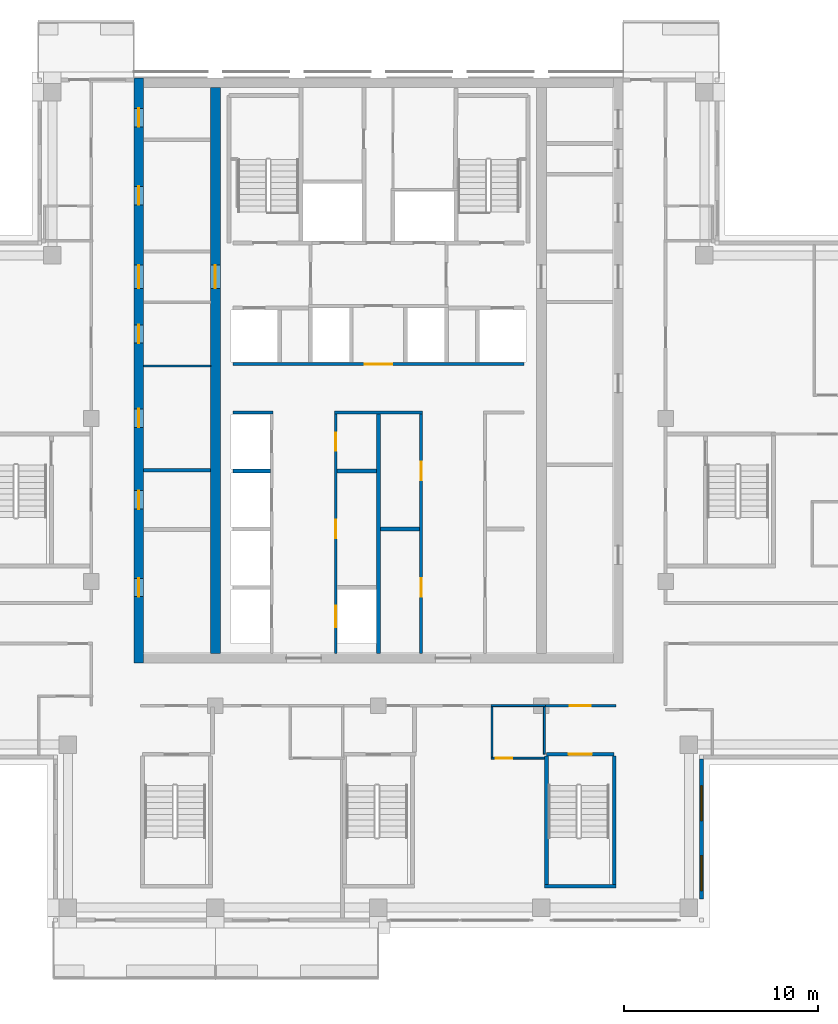
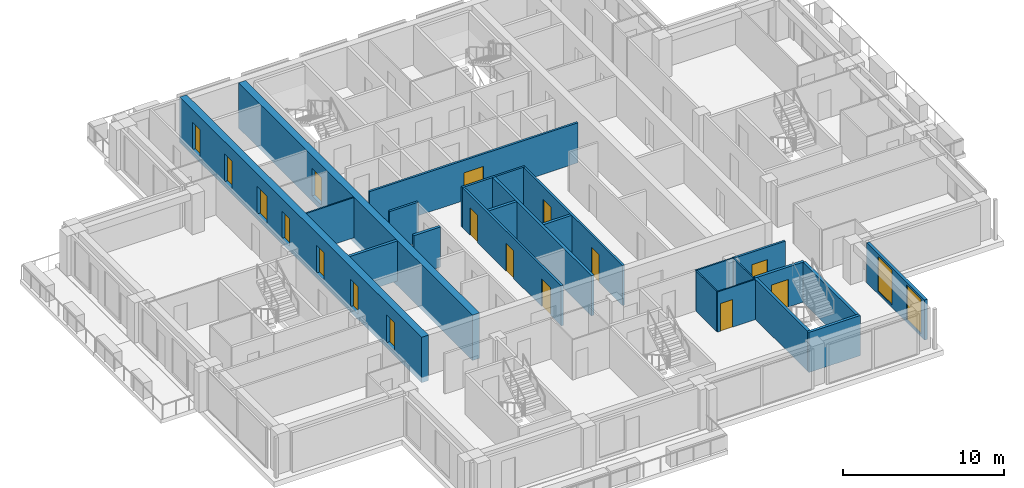
# One storey, part 8 of 16: 23 walls, 17 doors, 2 windows, 19 openings.
"""IFC4 building model written with IfcOpenShell, lengths in metres."""

from ifc_helpers import new_model, si_unit, direction, frame, frame_2d, origin, place, context, subcontext, project, spatial, rectangle, extrude, material, layer, layer_set, type_object, element, fill, save


model = new_model("IFC4")

# Units and contexts
model_context = context("Model", 3, precision=1e-05, world=origin(), true_north=direction((0.0, 1.0)))
body_context = subcontext(model_context, "Body", "Model", "MODEL_VIEW")
ifc_project = project(units=[si_unit("LENGTHUNIT", "METRE"), si_unit("AREAUNIT", "SQUARE_METRE"), si_unit("VOLUMEUNIT", "CUBIC_METRE"), si_unit("PLANEANGLEUNIT", "RADIAN"), si_unit("MASSUNIT", "GRAM", prefix="KILO")], contexts=[model_context])

# Site, building, storey
site_placement = place(None, origin())
site = spatial("IfcSite", under=ifc_project, at=site_placement, CompositionType="ELEMENT")
building_placement = place(site_placement, origin())
building = spatial("IfcBuilding", under=site, at=building_placement, Name="Vermilion Ogive Tower", CompositionType="ELEMENT")
storey_placement = place(building_placement, frame((0.0, 0.0, 251.050048828125)))
storey = spatial("IfcBuildingStorey", under=building, at=storey_placement, Name="L66", CompositionType="ELEMENT", Elevation=251.050048828125)

# Wall, openings, doors
ifc_material_1 = material(Name="Concrete B60", Category="concrete")
ifc_layer_1 = layer(ifc_material_1, 0.5)
ifc_layer_set_1 = layer_set([ifc_layer_1], Name="Core wall 500 B60")
wall_type_1 = type_object("IfcWallType", Name="Core wall 500 B60", PredefinedType="SHEAR", material=ifc_layer_set_1)
wall_1_placement = place(storey_placement, frame((-12.35009765625, -8.39990234375, -0.400146484375), z_axis=(0.0, 0.0, 1.0), x_axis=(0.0, 1.0, 0.0)))
wall_1 = element("IfcWall", 1, at=wall_1_placement, inside=storey, type_object=wall_type_1, Name="L66-CORE-W", PredefinedType="SHEAR", context=body_context, shape_type="SweptSolid", body=[
    extrude(rectangle(XDim=30.14990234375, YDim=0.5, at=frame_2d((15.074951171875, 0.0))), origin(), (0.0, 0.0, 1.0), 3.4501953125),
])
opening_1_placement = place(wall_1_placement, frame((3.415771484375, 0.0, 0.39990234375)))
opening_1 = element("IfcOpeningElement", 2, at=opening_1_placement, cuts=wall_1, Name="Opening DAD116", PredefinedType="OPENING", context=body_context, shape_type="SweptSolid", body=[
    extrude(rectangle(XDim=0.949951171875, YDim=2.10009765625, at=frame_2d((0.47509765625, 1.050048828125))), frame((0.0, 0.260009765625, 0.0), z_axis=(0.0, -1.0, 0.0), x_axis=(1.0, 0.0, 0.0)), (0.0, 0.0, 1.0), 0.52001953125),
])
opening_2_placement = place(wall_1_placement, frame((7.93212890625, 0.0, 0.39990234375)))
opening_2 = element("IfcOpeningElement", 3, at=opening_2_placement, cuts=wall_1, Name="Opening DAD117", PredefinedType="OPENING", context=body_context, shape_type="SweptSolid", body=[
    extrude(rectangle(XDim=0.949951171875, YDim=2.10009765625, at=frame_2d((0.47509765625, 1.050048828125))), frame((0.0, 0.260009765625, 0.0), z_axis=(0.0, -1.0, 0.0), x_axis=(1.0, 0.0, 0.0)), (0.0, 0.0, 1.0), 0.52001953125),
])
opening_3_placement = place(wall_1_placement, frame((12.1435546875, 0.0, 0.39990234375)))
opening_3 = element("IfcOpeningElement", 4, at=opening_3_placement, cuts=wall_1, Name="Opening DAD118", PredefinedType="OPENING", context=body_context, shape_type="SweptSolid", body=[
    extrude(rectangle(XDim=0.949951171875, YDim=2.10009765625, at=frame_2d((0.47509765625, 1.050048828125))), frame((0.0, 0.260009765625, 0.0), z_axis=(0.0, -1.0, 0.0), x_axis=(1.0, 0.0, 0.0)), (0.0, 0.0, 1.0), 0.52001953125),
])
opening_4_placement = place(wall_1_placement, frame((16.47705078125, 0.0, 0.39990234375)))
opening_4 = element("IfcOpeningElement", 5, at=opening_4_placement, cuts=wall_1, Name="Opening DAD119", PredefinedType="OPENING", context=body_context, shape_type="SweptSolid", body=[
    extrude(rectangle(XDim=0.949951171875, YDim=2.10009765625, at=frame_2d((0.47509765625, 1.050048828125))), frame((0.0, 0.260009765625, 0.0), z_axis=(0.0, -1.0, 0.0), x_axis=(1.0, 0.0, 0.0)), (0.0, 0.0, 1.0), 0.52001953125),
])
opening_5_placement = place(wall_1_placement, frame((23.60498046875, 0.0, 0.39990234375)))
opening_5 = element("IfcOpeningElement", 6, at=opening_5_placement, cuts=wall_1, Name="Opening DAD120", PredefinedType="OPENING", context=body_context, shape_type="SweptSolid", body=[
    extrude(rectangle(XDim=0.949951171875, YDim=2.10009765625, at=frame_2d((0.47509765625, 1.050048828125))), frame((0.0, 0.260009765625, 0.0), z_axis=(0.0, -1.0, 0.0), x_axis=(1.0, 0.0, 0.0)), (0.0, 0.0, 1.0), 0.52001953125),
])
opening_6_placement = place(wall_1_placement, frame((27.630126953125, 0.0, 0.39990234375)))
opening_6 = element("IfcOpeningElement", 7, at=opening_6_placement, cuts=wall_1, Name="Opening DAD121", PredefinedType="OPENING", context=body_context, shape_type="SweptSolid", body=[
    extrude(rectangle(XDim=0.949951171875, YDim=2.10009765625, at=frame_2d((0.47509765625, 1.050048828125))), frame((0.0, 0.260009765625, 0.0), z_axis=(0.0, -1.0, 0.0), x_axis=(1.0, 0.0, 0.0)), (0.0, 0.0, 1.0), 0.52001953125),
])
opening_7_placement = place(wall_1_placement, frame((19.300048828125, 0.0, 0.39990234375)))
opening_7 = element("IfcOpeningElement", 8, at=opening_7_placement, cuts=wall_1, Name="Opening DAM027", PredefinedType="OPENING", context=body_context, shape_type="SweptSolid", body=[
    extrude(rectangle(XDim=1.199951171875, YDim=2.10009765625, at=frame_2d((0.60009765625, 1.050048828125))), frame((0.0, 0.260009765625, 0.0), z_axis=(0.0, -1.0, 0.0), x_axis=(1.0, 0.0, 0.0)), (0.0, 0.0, 1.0), 0.52001953125),
])
ifc_material_2 = material(Name="Timber door leaf", Category="wood")
door_type_1 = type_object("IfcDoorType", Name="Link door 1200 x 2100 FD60S", OperationType="SINGLE_SWING_LEFT", PredefinedType="DOOR", material=ifc_material_2)
door_1_placement = place(opening_7_placement, origin())
door_1 = element("IfcDoor", 9, at=door_1_placement, inside=storey, type_object=door_type_1, Name="L66-CKW-XL", OperationType="SINGLE_SWING_LEFT", OverallHeight=2.10009765625, OverallWidth=1.199951171875, PredefinedType="DOOR", context=body_context, shape_type="SweptSolid", body=[
    extrude(rectangle(XDim=1.199951171875, YDim=2.10009765625, at=frame_2d((0.60009765625, 1.050048828125))), frame((0.0, 0.02490234375, 0.0), z_axis=(0.0, -1.0, 0.0), x_axis=(1.0, 0.0, 0.0)), (0.0, 0.0, 1.0), 0.050048828125),
])
fill(opening_7, door_1)
ifc_material_3 = material(Name="Timber door leaf", Category="wood")
door_type_2 = type_object("IfcDoorType", Name="Service door 950 x 2100 FD60", OperationType="SINGLE_SWING_LEFT", PredefinedType="DOOR", material=ifc_material_3)
door_2_placement = place(opening_1_placement, origin())
door_2 = element("IfcDoor", 10, at=door_2_placement, inside=storey, type_object=door_type_2, Name="L66-CKW-XR0", OperationType="SINGLE_SWING_LEFT", OverallHeight=2.10009765625, OverallWidth=0.949951171875, PredefinedType="DOOR", context=body_context, shape_type="SweptSolid", body=[
    extrude(rectangle(XDim=0.949951171875, YDim=2.10009765625, at=frame_2d((0.47509765625, 1.050048828125))), frame((0.0, 0.02490234375, 0.0), z_axis=(0.0, -1.0, 0.0), x_axis=(1.0, 0.0, 0.0)), (0.0, 0.0, 1.0), 0.050048828125),
])
fill(opening_1, door_2)
door_3_placement = place(opening_2_placement, origin())
door_3 = element("IfcDoor", 11, at=door_3_placement, inside=storey, type_object=door_type_2, Name="L66-CKW-XR1", OperationType="SINGLE_SWING_LEFT", OverallHeight=2.10009765625, OverallWidth=0.949951171875, PredefinedType="DOOR", context=body_context, shape_type="SweptSolid", body=[
    extrude(rectangle(XDim=0.949951171875, YDim=2.10009765625, at=frame_2d((0.47509765625, 1.050048828125))), frame((0.0, 0.02490234375, 0.0), z_axis=(0.0, -1.0, 0.0), x_axis=(1.0, 0.0, 0.0)), (0.0, 0.0, 1.0), 0.050048828125),
])
fill(opening_2, door_3)
door_4_placement = place(opening_3_placement, origin())
door_4 = element("IfcDoor", 12, at=door_4_placement, inside=storey, type_object=door_type_2, Name="L66-CKW-XR2", OperationType="SINGLE_SWING_LEFT", OverallHeight=2.10009765625, OverallWidth=0.949951171875, PredefinedType="DOOR", context=body_context, shape_type="SweptSolid", body=[
    extrude(rectangle(XDim=0.949951171875, YDim=2.10009765625, at=frame_2d((0.47509765625, 1.050048828125))), frame((0.0, 0.02490234375, 0.0), z_axis=(0.0, -1.0, 0.0), x_axis=(1.0, 0.0, 0.0)), (0.0, 0.0, 1.0), 0.050048828125),
])
fill(opening_3, door_4)
door_5_placement = place(opening_4_placement, origin())
door_5 = element("IfcDoor", 13, at=door_5_placement, inside=storey, type_object=door_type_2, Name="L66-CKW-XR3", OperationType="SINGLE_SWING_LEFT", OverallHeight=2.10009765625, OverallWidth=0.949951171875, PredefinedType="DOOR", context=body_context, shape_type="SweptSolid", body=[
    extrude(rectangle(XDim=0.949951171875, YDim=2.10009765625, at=frame_2d((0.47509765625, 1.050048828125))), frame((0.0, 0.02490234375, 0.0), z_axis=(0.0, -1.0, 0.0), x_axis=(1.0, 0.0, 0.0)), (0.0, 0.0, 1.0), 0.050048828125),
])
fill(opening_4, door_5)
door_6_placement = place(opening_5_placement, origin())
door_6 = element("IfcDoor", 14, at=door_6_placement, inside=storey, type_object=door_type_2, Name="L66-CKW-XR4", OperationType="SINGLE_SWING_LEFT", OverallHeight=2.10009765625, OverallWidth=0.949951171875, PredefinedType="DOOR", context=body_context, shape_type="SweptSolid", body=[
    extrude(rectangle(XDim=0.949951171875, YDim=2.10009765625, at=frame_2d((0.47509765625, 1.050048828125))), frame((0.0, 0.02490234375, 0.0), z_axis=(0.0, -1.0, 0.0), x_axis=(1.0, 0.0, 0.0)), (0.0, 0.0, 1.0), 0.050048828125),
])
fill(opening_5, door_6)
door_7_placement = place(opening_6_placement, origin())
door_7 = element("IfcDoor", 15, at=door_7_placement, inside=storey, type_object=door_type_2, Name="L66-CKW-XR5", OperationType="SINGLE_SWING_LEFT", OverallHeight=2.10009765625, OverallWidth=0.949951171875, PredefinedType="DOOR", context=body_context, shape_type="SweptSolid", body=[
    extrude(rectangle(XDim=0.949951171875, YDim=2.10009765625, at=frame_2d((0.47509765625, 1.050048828125))), frame((0.0, 0.02490234375, 0.0), z_axis=(0.0, -1.0, 0.0), x_axis=(1.0, 0.0, 0.0)), (0.0, 0.0, 1.0), 0.050048828125),
])
fill(opening_6, door_7)

# Wall, opening, door
wall_2_placement = place(storey_placement, frame((-8.39990234375, -7.89990234375, -0.400146484375), z_axis=(0.0, 0.0, 1.0), x_axis=(0.0, 1.0, 0.0)))
wall_2 = element("IfcWall", 16, at=wall_2_placement, inside=storey, type_object=wall_type_1, Name="L66-CORE-WEB1", PredefinedType="SHEAR", context=body_context, shape_type="SweptSolid", body=[
    extrude(rectangle(XDim=29.14990234375, YDim=0.5, at=frame_2d((14.574951171875, 0.0))), origin(), (0.0, 0.0, 1.0), 3.4501953125),
])
opening_8_placement = place(wall_2_placement, frame((18.800048828125, 0.0, 0.39990234375)))
opening_8 = element("IfcOpeningElement", 17, at=opening_8_placement, cuts=wall_2, Name="Opening DAP022", PredefinedType="OPENING", context=body_context, shape_type="SweptSolid", body=[
    extrude(rectangle(XDim=1.199951171875, YDim=2.10009765625, at=frame_2d((0.60009765625, 1.050048828125))), frame((0.0, 0.260009765625, 0.0), z_axis=(0.0, -1.0, 0.0), x_axis=(1.0, 0.0, 0.0)), (0.0, 0.0, 1.0), 0.52001953125),
])
door_8_placement = place(opening_8_placement, origin())
door_8 = element("IfcDoor", 18, at=door_8_placement, inside=storey, type_object=door_type_1, Name="L66-CKW-XW", OperationType="SINGLE_SWING_LEFT", OverallHeight=2.10009765625, OverallWidth=1.199951171875, PredefinedType="DOOR", context=body_context, shape_type="SweptSolid", body=[
    extrude(rectangle(XDim=1.199951171875, YDim=2.10009765625, at=frame_2d((0.60009765625, 1.050048828125))), frame((0.0, 0.02490234375, 0.0), z_axis=(0.0, -1.0, 0.0), x_axis=(1.0, 0.0, 0.0)), (0.0, 0.0, 1.0), 0.050048828125),
])
fill(opening_8, door_8)

ifc_material_4 = material(Name="Gypsum board partition on steel studs", Category="steel")
ifc_layer_2 = layer(ifc_material_4, 0.10009765625)
ifc_layer_set_2 = layer_set([ifc_layer_2], Name="Partition 100 bath")
wall_type_2 = type_object("IfcWallType", Name="Partition 100 bath", PredefinedType="PARTITIONING", material=ifc_layer_set_2)
wall_3_placement = place(storey_placement, frame((5.802001953125, -13.300048828125, 0.0), z_axis=(0.0, 0.0, 1.0), x_axis=(1.0, 0.0, 0.0)))
wall_3 = element("IfcWall", 19, at=wall_3_placement, inside=storey, type_object=wall_type_2, Name="L66-W-W003", PredefinedType="PARTITIONING", context=body_context, shape_type="SweptSolid", body=[
    extrude(rectangle(XDim=2.748046875, YDim=0.10009765625, at=frame_2d((1.3740234375, 0.0))), origin(), (0.0, 0.0, 1.0), 3.050048828125),
])
opening_9_placement = place(wall_3_placement, frame((0.248046875, 0.0, 0.0)))
opening_9 = element("IfcOpeningElement", 20, at=opening_9_placement, cuts=wall_3, Name="Opening D5G4011", PredefinedType="OPENING", context=body_context, shape_type="SweptSolid", body=[
    extrude(rectangle(XDim=0.85009765625, YDim=2.10009765625, at=frame_2d((0.425048828125, 1.050048828125))), frame((0.0, 0.06005859375, 0.0), z_axis=(0.0, -1.0, 0.0), x_axis=(1.0, 0.0, 0.0)), (0.0, 0.0, 1.0), 0.1201171875),
])
ifc_material_5 = material(Name="Timber door leaf", Category="wood")
door_type_3 = type_object("IfcDoorType", Name="Bath door 850 x 2100 FD30", OperationType="SINGLE_SWING_LEFT", PredefinedType="DOOR", material=ifc_material_5)
door_9_placement = place(opening_9_placement, origin())
door_9 = element("IfcDoor", 21, at=door_9_placement, inside=storey, type_object=door_type_3, Name="L66-D-D011", OperationType="SINGLE_SWING_LEFT", OverallHeight=2.10009765625, OverallWidth=0.85009765625, PredefinedType="DOOR", context=body_context, shape_type="SweptSolid", body=[
    extrude(rectangle(XDim=0.85009765625, YDim=2.10009765625, at=frame_2d((0.425048828125, 1.050048828125))), frame((0.0, 0.02490234375, 0.0), z_axis=(0.0, -1.0, 0.0), x_axis=(1.0, 0.0, 0.0)), (0.0, 0.0, 1.0), 0.050048828125),
])
fill(opening_9, door_9)

# Walls
wall_4_placement = place(storey_placement, frame((5.800048828125, -10.60009765625, 0.0), z_axis=(0.0, 0.0, 1.0), x_axis=(1.0, 0.0, 0.0)))
element("IfcWall", 22, at=wall_4_placement, inside=storey, type_object=wall_type_2, Name="L66-W-W011", PredefinedType="PARTITIONING", context=body_context, shape_type="SweptSolid", body=[
    extrude(rectangle(XDim=2.800048828125, YDim=0.10009765625, at=frame_2d((1.39990234375, 0.0))), origin(), (0.0, 0.0, 1.0), 3.050048828125),
])
wall_5_placement = place(storey_placement, frame((5.85009765625, -13.248046875, 0.0), z_axis=(0.0, 0.0, 1.0), x_axis=(0.0, 1.0, 0.0)))
element("IfcWall", 23, at=wall_5_placement, inside=storey, type_object=wall_type_2, Name="L66-W-W053", PredefinedType="PARTITIONING", context=body_context, shape_type="SweptSolid", body=[
    extrude(rectangle(XDim=2.572998046875, YDim=0.10009765625, at=frame_2d((1.28662109375, 0.0))), origin(), (0.0, 0.0, 1.0), 3.050048828125),
])
wall_6_placement = place(storey_placement, frame((8.550048828125, -13.10009765625, 0.0), z_axis=(0.0, 0.0, 1.0), x_axis=(0.0, 1.0, 0.0)))
element("IfcWall", 24, at=wall_6_placement, inside=storey, type_object=wall_type_2, Name="L66-W-W054", PredefinedType="PARTITIONING", context=body_context, shape_type="SweptSolid", body=[
    extrude(rectangle(XDim=2.425048828125, YDim=0.10009765625, at=frame_2d((1.21240234375, 0.0))), origin(), (0.0, 0.0, 1.0), 3.050048828125),
])
wall_7_placement = place(storey_placement, frame((-12.09912109375, 6.904052734375, 0.0), z_axis=(0.0, 0.0, 1.0), x_axis=(1.0, 0.0, 0.0)))
element("IfcWall", 25, at=wall_7_placement, inside=storey, type_object=wall_type_2, Name="L66-CKW-W-W003", PredefinedType="PARTITIONING", context=body_context, shape_type="SweptSolid", body=[
    extrude(rectangle(XDim=3.4482421875, YDim=0.10009765625, at=frame_2d((1.72412109375, 0.0))), origin(), (0.0, 0.0, 1.0), 3.050048828125),
])

# Wall, opening, door
ifc_material_6 = material(Name="Gypsum board partition on steel studs", Category="steel")
ifc_layer_3 = layer(ifc_material_6, 0.14990234375)
ifc_layer_set_3 = layer_set([ifc_layer_3], Name="Partition 150 corridor")
wall_type_3 = type_object("IfcWallType", Name="Partition 150 corridor", PredefinedType="PARTITIONING", material=ifc_layer_set_3)
wall_8_placement = place(storey_placement, frame((8.5, -10.60009765625, 0.0), z_axis=(0.0, 0.0, 1.0), x_axis=(1.0, 0.0, 0.0)))
wall_8 = element("IfcWall", 26, at=wall_8_placement, inside=storey, type_object=wall_type_3, Name="L66-W-W012", PredefinedType="PARTITIONING", context=body_context, shape_type="SweptSolid", body=[
    extrude(rectangle(XDim=3.75, YDim=0.14990234375, at=frame_2d((1.875, 0.0))), origin(), (0.0, 0.0, 1.0), 3.050048828125),
])
opening_10_placement = place(wall_8_placement, frame((1.35009765625, 0.0, 0.0)))
opening_10 = element("IfcOpeningElement", 27, at=opening_10_placement, cuts=wall_8, Name="Opening D5G4024", PredefinedType="OPENING", context=body_context, shape_type="SweptSolid", body=[
    extrude(rectangle(XDim=1.10009765625, YDim=2.10009765625, at=frame_2d((0.550048828125, 1.050048828125))), frame((0.0, 0.0849609375, 0.0), z_axis=(0.0, -1.0, 0.0), x_axis=(1.0, 0.0, 0.0)), (0.0, 0.0, 1.0), 0.169921875),
])
ifc_material_7 = material(Name="Timber door leaf", Category="wood")
door_type_4 = type_object("IfcDoorType", Name="Stair door 1100 x 2100 FD60S", OperationType="SINGLE_SWING_LEFT", PredefinedType="DOOR", material=ifc_material_7)
door_10_placement = place(opening_10_placement, origin())
door_10 = element("IfcDoor", 28, at=door_10_placement, inside=storey, type_object=door_type_4, Name="L66-D-D024", OperationType="SINGLE_SWING_RIGHT", OverallHeight=2.10009765625, OverallWidth=1.10009765625, PredefinedType="DOOR", context=body_context, shape_type="SweptSolid", body=[
    extrude(rectangle(XDim=1.10009765625, YDim=2.10009765625, at=frame_2d((0.550048828125, 1.050048828125))), frame((0.0, 0.02490234375, 0.0), z_axis=(0.0, -1.0, 0.0), x_axis=(1.0, 0.0, 0.0)), (0.0, 0.0, 1.0), 0.050048828125),
])
fill(opening_10, door_10)

# Walls
wall_9_placement = place(storey_placement, frame((-7.5, 4.5, 0.0), z_axis=(0.0, 0.0, 1.0), x_axis=(1.0, 0.0, 0.0)))
element("IfcWall", 29, at=wall_9_placement, inside=storey, type_object=wall_type_3, Name="L66-CK-W-W008", PredefinedType="PARTITIONING", context=body_context, shape_type="SweptSolid", body=[
    extrude(rectangle(XDim=2.074951171875, YDim=0.14990234375, at=frame_2d((1.03759765625, 0.0))), origin(), (0.0, 0.0, 1.0), 3.050048828125),
])
wall_10_placement = place(storey_placement, frame((-2.27490234375, 4.5, 0.0), z_axis=(0.0, 0.0, 1.0), x_axis=(1.0, 0.0, 0.0)))
element("IfcWall", 30, at=wall_10_placement, inside=storey, type_object=wall_type_3, Name="L66-CK-W-W009", PredefinedType="PARTITIONING", context=body_context, shape_type="SweptSolid", body=[
    extrude(rectangle(XDim=4.5498046875, YDim=0.14990234375, at=frame_2d((2.27490234375, 0.0))), origin(), (0.0, 0.0, 1.0), 3.050048828125),
])

# Wall, opening, door
wall_11_placement = place(storey_placement, frame((-7.5, 7.0, 0.0), z_axis=(0.0, 0.0, 1.0), x_axis=(1.0, 0.0, 0.0)))
wall_11 = element("IfcWall", 31, at=wall_11_placement, inside=storey, type_object=wall_type_3, Name="L66-CK-W-W011", PredefinedType="PARTITIONING", context=body_context, shape_type="SweptSolid", body=[
    extrude(rectangle(XDim=15.0, YDim=0.14990234375, at=frame_2d((7.5, 0.0))), origin(), (0.0, 0.0, 1.0), 3.050048828125),
])
opening_11_placement = place(wall_11_placement, frame((6.800048828125, 0.0, 0.0)))
opening_11 = element("IfcOpeningElement", 32, at=opening_11_placement, cuts=wall_11, Name="Opening DAA611", PredefinedType="OPENING", context=body_context, shape_type="SweptSolid", body=[
    extrude(rectangle(XDim=1.39990234375, YDim=2.10009765625, at=frame_2d((0.699951171875, 1.050048828125))), frame((0.0, 0.0849609375, 0.0), z_axis=(0.0, -1.0, 0.0), x_axis=(1.0, 0.0, 0.0)), (0.0, 0.0, 1.0), 0.169921875),
])
ifc_material_8 = material(Name="Timber door leaf", Category="wood")
door_type_5 = type_object("IfcDoorType", Name="Lobby door 1400 x 2100 FD60S", OperationType="SINGLE_SWING_LEFT", PredefinedType="DOOR", material=ifc_material_8)
door_11_placement = place(opening_11_placement, origin())
door_11 = element("IfcDoor", 33, at=door_11_placement, inside=storey, type_object=door_type_5, Name="L66-CK-D-D016", OperationType="SINGLE_SWING_RIGHT", OverallHeight=2.10009765625, OverallWidth=1.39990234375, PredefinedType="DOOR", context=body_context, shape_type="SweptSolid", body=[
    extrude(rectangle(XDim=1.39990234375, YDim=2.10009765625, at=frame_2d((0.699951171875, 1.050048828125))), frame((0.0, 0.02490234375, 0.0), z_axis=(0.0, -1.0, 0.0), x_axis=(1.0, 0.0, 0.0)), (0.0, 0.0, 1.0), 0.050048828125),
])
fill(opening_11, door_11)

# Wall, openings, doors
wall_12_placement = place(storey_placement, frame((-2.199951171875, -7.89892578125, 0.0), z_axis=(0.0, 0.0, 1.0), x_axis=(0.0, 1.0, 0.0)))
wall_12 = element("IfcWall", 34, at=wall_12_placement, inside=storey, type_object=wall_type_3, Name="L66-CK-W-W025", PredefinedType="PARTITIONING", context=body_context, shape_type="SweptSolid", body=[
    extrude(rectangle(XDim=12.323974609375, YDim=0.14990234375, at=frame_2d((6.162109375, 0.0))), origin(), (0.0, 0.0, 1.0), 3.050048828125),
])
opening_12_placement = place(wall_12_placement, frame((1.348876953125, 0.0, 0.0)))
opening_12 = element("IfcOpeningElement", 35, at=opening_12_placement, cuts=wall_12, Name="Opening DAA628", PredefinedType="OPENING", context=body_context, shape_type="SweptSolid", body=[
    extrude(rectangle(XDim=1.10009765625, YDim=2.10009765625, at=frame_2d((0.550048828125, 1.050048828125))), frame((0.0, 0.0849609375, 0.0), z_axis=(0.0, -1.0, 0.0), x_axis=(1.0, 0.0, 0.0)), (0.0, 0.0, 1.0), 0.169921875),
])
opening_13_placement = place(wall_12_placement, frame((5.923828125, 0.0, 0.0)))
opening_13 = element("IfcOpeningElement", 36, at=opening_13_placement, cuts=wall_12, Name="Opening DAA614", PredefinedType="OPENING", context=body_context, shape_type="SweptSolid", body=[
    extrude(rectangle(XDim=0.949951171875, YDim=2.10009765625, at=frame_2d((0.47509765625, 1.050048828125))), frame((0.0, 0.0849609375, 0.0), z_axis=(0.0, -1.0, 0.0), x_axis=(1.0, 0.0, 0.0)), (0.0, 0.0, 1.0), 0.169921875),
])
opening_14_placement = place(wall_12_placement, frame((10.423828125, 0.0, 0.0)))
opening_14 = element("IfcOpeningElement", 37, at=opening_14_placement, cuts=wall_12, Name="Opening DAA615", PredefinedType="OPENING", context=body_context, shape_type="SweptSolid", body=[
    extrude(rectangle(XDim=0.949951171875, YDim=2.10009765625, at=frame_2d((0.47509765625, 1.050048828125))), frame((0.0, 0.0849609375, 0.0), z_axis=(0.0, -1.0, 0.0), x_axis=(1.0, 0.0, 0.0)), (0.0, 0.0, 1.0), 0.169921875),
])
ifc_material_9 = material(Name="Stainless steel", Category="steel")
door_type_6 = type_object("IfcDoorType", Name="Lift landing door 1100 x 2100", OperationType="SLIDING_TO_LEFT", PredefinedType="DOOR", material=ifc_material_9)
door_12_placement = place(opening_12_placement, origin())
door_12 = element("IfcDoor", 38, at=door_12_placement, inside=storey, type_object=door_type_6, Name="L66-CK-D-D005", OperationType="SLIDING_TO_LEFT", OverallHeight=2.10009765625, OverallWidth=1.10009765625, PredefinedType="DOOR", context=body_context, shape_type="SweptSolid", body=[
    extrude(rectangle(XDim=1.10009765625, YDim=2.10009765625, at=frame_2d((0.550048828125, 1.050048828125))), frame((0.0, 0.02490234375, 0.0), z_axis=(0.0, -1.0, 0.0), x_axis=(1.0, 0.0, 0.0)), (0.0, 0.0, 1.0), 0.050048828125),
])
fill(opening_12, door_12)
door_13_placement = place(opening_13_placement, origin())
door_13 = element("IfcDoor", 39, at=door_13_placement, inside=storey, type_object=door_type_2, Name="L66-CK-D-D006", OperationType="SINGLE_SWING_LEFT", OverallHeight=2.10009765625, OverallWidth=0.949951171875, PredefinedType="DOOR", context=body_context, shape_type="SweptSolid", body=[
    extrude(rectangle(XDim=0.949951171875, YDim=2.10009765625, at=frame_2d((0.47509765625, 1.050048828125))), frame((0.0, 0.02490234375, 0.0), z_axis=(0.0, -1.0, 0.0), x_axis=(1.0, 0.0, 0.0)), (0.0, 0.0, 1.0), 0.050048828125),
])
fill(opening_13, door_13)
door_14_placement = place(opening_14_placement, origin())
door_14 = element("IfcDoor", 40, at=door_14_placement, inside=storey, type_object=door_type_2, Name="L66-CK-D-D007", OperationType="SINGLE_SWING_RIGHT", OverallHeight=2.10009765625, OverallWidth=0.949951171875, PredefinedType="DOOR", context=body_context, shape_type="SweptSolid", body=[
    extrude(rectangle(XDim=0.949951171875, YDim=2.10009765625, at=frame_2d((0.47509765625, 1.050048828125))), frame((0.0, 0.02490234375, 0.0), z_axis=(0.0, -1.0, 0.0), x_axis=(1.0, 0.0, 0.0)), (0.0, 0.0, 1.0), 0.050048828125),
])
fill(opening_14, door_14)

wall_13_placement = place(storey_placement, frame((2.199951171875, -7.89892578125, 0.0), z_axis=(0.0, 0.0, 1.0), x_axis=(0.0, 1.0, 0.0)))
wall_13 = element("IfcWall", 41, at=wall_13_placement, inside=storey, type_object=wall_type_3, Name="L66-CK-W-W032", PredefinedType="PARTITIONING", context=body_context, shape_type="SweptSolid", body=[
    extrude(rectangle(XDim=12.323974609375, YDim=0.14990234375, at=frame_2d((6.162109375, 0.0))), origin(), (0.0, 0.0, 1.0), 3.050048828125),
])
opening_15_placement = place(wall_13_placement, frame((2.923828125, 0.0, 0.0)))
opening_15 = element("IfcOpeningElement", 42, at=opening_15_placement, cuts=wall_13, Name="Opening DAA616", PredefinedType="OPENING", context=body_context, shape_type="SweptSolid", body=[
    extrude(rectangle(XDim=0.949951171875, YDim=2.10009765625, at=frame_2d((0.47509765625, 1.050048828125))), frame((0.0, 0.0849609375, 0.0), z_axis=(0.0, -1.0, 0.0), x_axis=(1.0, 0.0, 0.0)), (0.0, 0.0, 1.0), 0.169921875),
])
opening_16_placement = place(wall_13_placement, frame((8.923828125, 0.0, 0.0)))
opening_16 = element("IfcOpeningElement", 43, at=opening_16_placement, cuts=wall_13, Name="Opening DAA617", PredefinedType="OPENING", context=body_context, shape_type="SweptSolid", body=[
    extrude(rectangle(XDim=0.949951171875, YDim=2.10009765625, at=frame_2d((0.47509765625, 1.050048828125))), frame((0.0, 0.0849609375, 0.0), z_axis=(0.0, -1.0, 0.0), x_axis=(1.0, 0.0, 0.0)), (0.0, 0.0, 1.0), 0.169921875),
])
door_15_placement = place(opening_15_placement, origin())
door_15 = element("IfcDoor", 44, at=door_15_placement, inside=storey, type_object=door_type_2, Name="L66-CK-D-D008", OperationType="SINGLE_SWING_RIGHT", OverallHeight=2.10009765625, OverallWidth=0.949951171875, PredefinedType="DOOR", context=body_context, shape_type="SweptSolid", body=[
    extrude(rectangle(XDim=0.949951171875, YDim=2.10009765625, at=frame_2d((0.47509765625, 1.050048828125))), frame((0.0, 0.02490234375, 0.0), z_axis=(0.0, -1.0, 0.0), x_axis=(1.0, 0.0, 0.0)), (0.0, 0.0, 1.0), 0.050048828125),
])
fill(opening_15, door_15)
door_16_placement = place(opening_16_placement, origin())
door_16 = element("IfcDoor", 45, at=door_16_placement, inside=storey, type_object=door_type_2, Name="L66-CK-D-D009", OperationType="SINGLE_SWING_RIGHT", OverallHeight=2.10009765625, OverallWidth=0.949951171875, PredefinedType="DOOR", context=body_context, shape_type="SweptSolid", body=[
    extrude(rectangle(XDim=0.949951171875, YDim=2.10009765625, at=frame_2d((0.47509765625, 1.050048828125))), frame((0.0, 0.02490234375, 0.0), z_axis=(0.0, -1.0, 0.0), x_axis=(1.0, 0.0, 0.0)), (0.0, 0.0, 1.0), 0.050048828125),
])
fill(opening_16, door_16)

# Walls
ifc_material_10 = material(Name="Gypsum board partition on steel studs", Category="steel")
ifc_layer_4 = layer(ifc_material_10, 0.199951171875)
ifc_layer_set_4 = layer_set([ifc_layer_4], Name="Partition 200 party")
wall_type_4 = type_object("IfcWallType", Name="Partition 200 party", PredefinedType="PARTITIONING", material=ifc_layer_set_4)
wall_14_placement = place(storey_placement, frame((0.10009765625, -1.5, 0.0), z_axis=(0.0, 0.0, 1.0), x_axis=(1.0, 0.0, 0.0)))
element("IfcWall", 46, at=wall_14_placement, inside=storey, type_object=wall_type_4, Name="L66-CK-W-W004", PredefinedType="PARTITIONING", context=body_context, shape_type="SweptSolid", body=[
    extrude(rectangle(XDim=2.02490234375, YDim=0.199951171875, at=frame_2d((1.012451171875, 0.0))), origin(), (0.0, 0.0, 1.0), 3.050048828125),
])
wall_15_placement = place(storey_placement, frame((-7.5, 1.5, 0.0), z_axis=(0.0, 0.0, 1.0), x_axis=(1.0, 0.0, 0.0)))
element("IfcWall", 47, at=wall_15_placement, inside=storey, type_object=wall_type_4, Name="L66-CK-W-W006", PredefinedType="PARTITIONING", context=body_context, shape_type="SweptSolid", body=[
    extrude(rectangle(XDim=1.925048828125, YDim=0.199951171875, at=frame_2d((0.96240234375, 0.0))), origin(), (0.0, 0.0, 1.0), 3.050048828125),
])
wall_16_placement = place(storey_placement, frame((-2.125, 1.5, 0.0), z_axis=(0.0, 0.0, 1.0), x_axis=(1.0, 0.0, 0.0)))
element("IfcWall", 48, at=wall_16_placement, inside=storey, type_object=wall_type_4, Name="L66-CK-W-W007", PredefinedType="PARTITIONING", context=body_context, shape_type="SweptSolid", body=[
    extrude(rectangle(XDim=2.02490234375, YDim=0.199951171875, at=frame_2d((1.012451171875, 0.0))), origin(), (0.0, 0.0, 1.0), 3.050048828125),
])
wall_17_placement = place(storey_placement, frame((0.0, -7.89892578125, 0.0), z_axis=(0.0, 0.0, 1.0), x_axis=(0.0, 1.0, 0.0)))
element("IfcWall", 49, at=wall_17_placement, inside=storey, type_object=wall_type_4, Name="L66-CK-W-W028", PredefinedType="PARTITIONING", context=body_context, shape_type="SweptSolid", body=[
    extrude(rectangle(XDim=12.323974609375, YDim=0.199951171875, at=frame_2d((6.162109375, 0.0))), origin(), (0.0, 0.0, 1.0), 3.050048828125),
])
wall_18_placement = place(storey_placement, frame((-12.09912109375, 1.532958984375, 0.0), z_axis=(0.0, 0.0, 1.0), x_axis=(1.0, 0.0, 0.0)))
element("IfcWall", 50, at=wall_18_placement, inside=storey, type_object=wall_type_4, Name="L66-CKW-W-W002", PredefinedType="PARTITIONING", context=body_context, shape_type="SweptSolid", body=[
    extrude(rectangle(XDim=3.4482421875, YDim=0.199951171875, at=frame_2d((1.72412109375, 0.0))), origin(), (0.0, 0.0, 1.0), 3.050048828125),
])

# Wall, opening, door
ifc_material_11 = material(Name="Concrete B60", Category="concrete")
ifc_layer_5 = layer(ifc_material_11, 0.199951171875)
ifc_layer_set_5 = layer_set([ifc_layer_5], Name="Stair shaft wall 200 Concrete B60")
wall_type_5 = type_object("IfcWallType", Name="Stair shaft wall 200 Concrete B60", PredefinedType="SOLIDWALL", material=ifc_layer_set_5)
wall_19_placement = place(storey_placement, frame((8.64990234375, -13.10009765625, 0.0), z_axis=(0.0, 0.0, 1.0), x_axis=(1.0, 0.0, 0.0)))
wall_19 = element("IfcWall", 51, at=wall_19_placement, inside=storey, type_object=wall_type_5, Name="L66-W-W006", PredefinedType="SOLIDWALL", context=body_context, shape_type="SweptSolid", body=[
    extrude(rectangle(XDim=3.5, YDim=0.199951171875, at=frame_2d((1.75, 0.0))), origin(), (0.0, 0.0, 1.0), 3.050048828125),
])
opening_17_placement = place(wall_19_placement, frame((1.150146484375, 0.0, 0.0)))
opening_17 = element("IfcOpeningElement", 52, at=opening_17_placement, cuts=wall_19, Name="Opening D5G4025", PredefinedType="OPENING", context=body_context, shape_type="SweptSolid", body=[
    extrude(rectangle(XDim=1.199951171875, YDim=2.10009765625, at=frame_2d((0.60009765625, 1.050048828125))), frame((0.0, 0.10986328125, 0.0), z_axis=(0.0, -1.0, 0.0), x_axis=(1.0, 0.0, 0.0)), (0.0, 0.0, 1.0), 0.219970703125),
])
ifc_material_12 = material(Name="Timber door leaf", Category="wood")
door_type_7 = type_object("IfcDoorType", Name="Stair door 1200 x 2100 FD60S", OperationType="SINGLE_SWING_LEFT", PredefinedType="DOOR", material=ifc_material_12)
door_17_placement = place(opening_17_placement, origin())
door_17 = element("IfcDoor", 53, at=door_17_placement, inside=storey, type_object=door_type_7, Name="L66-D-D025", OperationType="SINGLE_SWING_RIGHT", OverallHeight=2.10009765625, OverallWidth=1.199951171875, PredefinedType="DOOR", context=body_context, shape_type="SweptSolid", body=[
    extrude(rectangle(XDim=1.199951171875, YDim=2.10009765625, at=frame_2d((0.60009765625, 1.050048828125))), frame((0.0, 0.02490234375, 0.0), z_axis=(0.0, -1.0, 0.0), x_axis=(1.0, 0.0, 0.0)), (0.0, 0.0, 1.0), 0.050048828125),
])
fill(opening_17, door_17)

# Walls
wall_20_placement = place(storey_placement, frame((8.550048828125, -19.89990234375, 0.0), z_axis=(0.0, 0.0, 1.0), x_axis=(1.0, 0.0, 0.0)))
element("IfcWall", 54, at=wall_20_placement, inside=storey, type_object=wall_type_5, Name="L66-SW-ST5-S1", PredefinedType="SOLIDWALL", context=body_context, shape_type="SweptSolid", body=[
    extrude(rectangle(XDim=3.699951171875, YDim=0.199951171875, at=frame_2d((1.85009765625, 0.0))), origin(), (0.0, 0.0, 1.0), 3.050048828125),
])
for number, where, z_axis, x_axis, name in (
    (55, (8.64990234375, -19.800048828125, 0.0), (0.0, 0.0, 1.0), (0.0, 1.0, 0.0), "L66-SW-ST5-W1"),
    (56, (12.14990234375, -19.800048828125, 0.0), (0.0, 0.0, 1.0), (0.0, 1.0, 0.0), "L66-SW-ST5-E1"),
):
    element("IfcWall", number, at=place(storey_placement, frame(where, z_axis=z_axis, x_axis=x_axis)), inside=storey, type_object=wall_type_5, Name=name, PredefinedType="SOLIDWALL", context=body_context, shape_type="SweptSolid", body=[
        extrude(rectangle(XDim=6.60009765625, YDim=0.199951171875, at=frame_2d((3.300048828125, 0.0))), origin(), (0.0, 0.0, 1.0), 3.050048828125),
    ])

# Wall, openings, windows
ifc_material_13 = material(Name="Aluminium window wall framing", Category="aluminium")
ifc_layer_6 = layer(ifc_material_13, 0.199951171875)
ifc_layer_set_6 = layer_set([ifc_layer_6], Name="Window wall")
wall_type_6 = type_object("IfcWallType", Name="Window wall", PredefinedType="STANDARD", material=ifc_layer_set_6)
wall_21_placement = place(storey_placement, frame((16.64990234375, -20.550048828125, 0.0), z_axis=(0.0, 0.0, 1.0), x_axis=(0.0, 1.0, 0.0)))
wall_21 = element("IfcWall", 57, at=wall_21_placement, inside=storey, type_object=wall_type_6, Name="Window wall X11", PredefinedType="STANDARD", context=body_context, shape_type="SweptSolid", body=[
    extrude(rectangle(XDim=7.199951171875, YDim=0.199951171875, at=frame_2d((3.60009765625, 0.0))), origin(), (0.0, 0.0, 1.0), 3.050048828125),
])
opening_18_placement = place(wall_21_placement, frame((0.425048828125, 0.0, 0.199951171875)))
opening_18 = element("IfcOpeningElement", 58, at=opening_18_placement, cuts=wall_21, Name="Opening W1-X195", PredefinedType="OPENING", context=body_context, shape_type="SweptSolid", body=[
    extrude(rectangle(XDim=1.800048828125, YDim=2.64990234375, at=frame_2d((0.89990234375, 1.324951171875))), frame((0.0, 0.10986328125, 0.0), z_axis=(0.0, -1.0, 0.0), x_axis=(1.0, 0.0, 0.0)), (0.0, 0.0, 1.0), 0.219970703125),
])
opening_19_placement = place(wall_21_placement, frame((4.02490234375, 0.0, 0.199951171875)))
opening_19 = element("IfcOpeningElement", 59, at=opening_19_placement, cuts=wall_21, Name="Opening W1-X196", PredefinedType="OPENING", context=body_context, shape_type="SweptSolid", body=[
    extrude(rectangle(XDim=1.800048828125, YDim=2.64990234375, at=frame_2d((0.89990234375, 1.324951171875))), frame((0.0, 0.10986328125, 0.0), z_axis=(0.0, -1.0, 0.0), x_axis=(1.0, 0.0, 0.0)), (0.0, 0.0, 1.0), 0.219970703125),
])
ifc_material_14 = material(Name="Aluminium framed double glazing", Category="aluminium")
window_type = type_object("IfcWindowType", Name="Guest window W1", PartitioningType="SINGLE_PANEL", PredefinedType="WINDOW", material=ifc_material_14)
window_1_placement = place(opening_18_placement, origin())
window_1 = element("IfcWindow", 60, at=window_1_placement, inside=storey, type_object=window_type, Name="Window X195", OverallHeight=2.64990234375, OverallWidth=1.800048828125, PartitioningType="SINGLE_PANEL", PredefinedType="WINDOW", context=body_context, shape_type="SweptSolid", body=[
    extrude(rectangle(XDim=1.800048828125, YDim=2.64990234375, at=frame_2d((0.89990234375, 1.324951171875))), frame((0.0, 0.030029296875, 0.0), z_axis=(0.0, -1.0, 0.0), x_axis=(1.0, 0.0, 0.0)), (0.0, 0.0, 1.0), 0.06005859375),
])
fill(opening_18, window_1)
window_2_placement = place(opening_19_placement, origin())
window_2 = element("IfcWindow", 61, at=window_2_placement, inside=storey, type_object=window_type, Name="Window X196", OverallHeight=2.64990234375, OverallWidth=1.800048828125, PartitioningType="SINGLE_PANEL", PredefinedType="WINDOW", context=body_context, shape_type="SweptSolid", body=[
    extrude(rectangle(XDim=1.800048828125, YDim=2.64990234375, at=frame_2d((0.89990234375, 1.324951171875))), frame((0.0, 0.030029296875, 0.0), z_axis=(0.0, -1.0, 0.0), x_axis=(1.0, 0.0, 0.0)), (0.0, 0.0, 1.0), 0.06005859375),
])
fill(opening_19, window_2)

save(model, "model.ifc")
